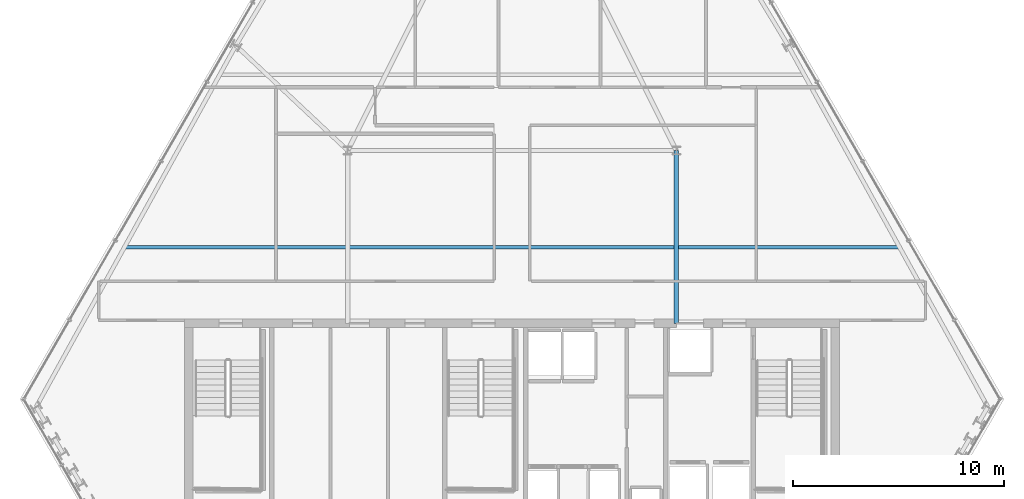
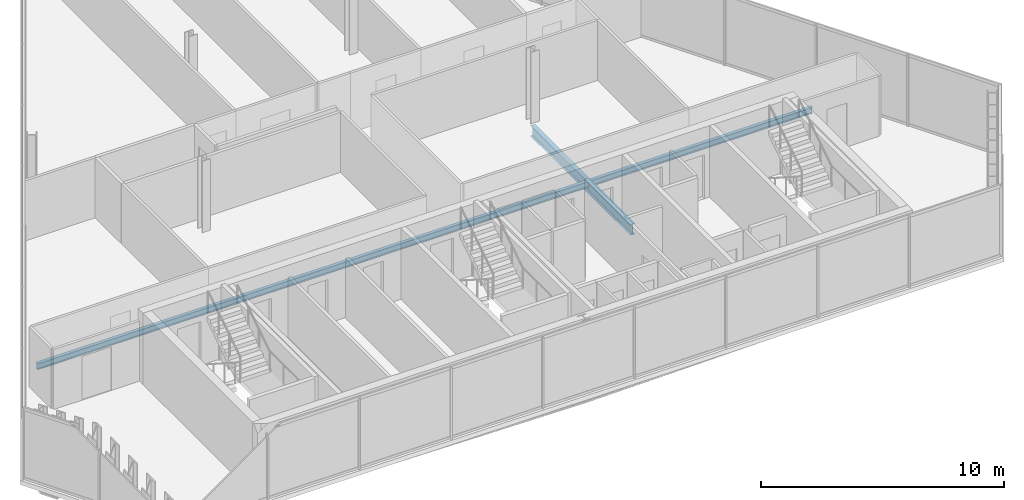
# One storey, part 9 of 29: 2 beams.
"""IFC4 building model written with IfcOpenShell, lengths in metres."""

from ifc_helpers import new_model, si_unit, direction, frame, origin, origin_2d, place, context, subcontext, project, spatial, i_section, extrude, material, material_profile, profile_set, type_object, element, save


model = new_model("IFC4")

# Units and contexts
model_context = context("Model", 3, precision=1e-05, world=origin(), true_north=direction((0.0, 1.0)))
body_context = subcontext(model_context, "Body", "Model", "MODEL_VIEW")
ifc_project = project(units=[si_unit("LENGTHUNIT", "METRE"), si_unit("AREAUNIT", "SQUARE_METRE"), si_unit("VOLUMEUNIT", "CUBIC_METRE"), si_unit("PLANEANGLEUNIT", "RADIAN"), si_unit("MASSUNIT", "GRAM", prefix="KILO")], contexts=[model_context])

# Site, building, storey
site_placement = place(None, origin())
site = spatial("IfcSite", under=ifc_project, at=site_placement, CompositionType="ELEMENT")
building_placement = place(site_placement, origin())
building = spatial("IfcBuilding", under=site, at=building_placement, Name="Ndaravel Arena Tower", CompositionType="ELEMENT")
storey_placement = place(building_placement, frame((0.0, 0.0, 233.199951171875)))
storey = spatial("IfcBuildingStorey", under=building, at=storey_placement, Name="L56", CompositionType="ELEMENT", Elevation=233.199951171875)

# Beams
ifc_material_1 = material(Name="Steel S355", Category="steel")
ifc_material_profile_1 = material_profile(ifc_material_1, i_section(OverallWidth=0.210693359375, OverallDepth=0.53955078125, WebThickness=0.01171875, FlangeThickness=0.018798828125, FilletRadius=0.0126953125, at=origin_2d()), Name="UB 533x210x109")
ifc_profile_set_1 = profile_set([ifc_material_profile_1], Name="Steel S355")
beam_type_1 = type_object("IfcBeamType", Name="BM-GIRD-UB533", PredefinedType="BEAM", material=ifc_profile_set_1)
beam_1_placement = place(storey_placement, frame((49.800048828125, 14.97998046875, -0.48974609375), z_axis=(0.0, 1.0, 0.0), x_axis=(-1.0, 0.0, 0.0)))
element("IfcBeam", 1, at=beam_1_placement, inside=storey, type_object=beam_type_1, Name="L56 Spine Link Girder SLG-02", PredefinedType="BEAM", context=body_context, shape_type="SweptSolid", body=[
    extrude(i_section(OverallWidth=0.210693359375, OverallDepth=0.53955078125, WebThickness=0.01171875, FlangeThickness=0.018798828125, FilletRadius=0.0126953125, at=origin_2d()), origin(), (0.0, 0.0, 1.0), 8.219970703125),
])
ifc_material_2 = material(Name="Steel S355", Category="steel")
ifc_material_profile_2 = material_profile(ifc_material_2, i_section(OverallWidth=0.165771484375, OverallDepth=0.306640625, WebThickness=0.006591796875, FlangeThickness=0.01171875, FilletRadius=0.0087890625, at=origin_2d()), Name="UB 305x165x46")
ifc_profile_set_2 = profile_set([ifc_material_profile_2], Name="Steel S355")
beam_type_2 = type_object("IfcBeamType", Name="BM-JOIST-UB305", PredefinedType="JOIST", material=ifc_profile_set_2)
beam_2_placement = place(storey_placement, frame((23.599365234375, 18.60009765625, -0.373291015625), z_axis=(1.0, 0.0, 0.0), x_axis=(0.0, 1.0, 0.0)))
element("IfcBeam", 2, at=beam_2_placement, inside=storey, type_object=beam_type_2, Name="L56 Composite Floor Joist FJ-01", PredefinedType="JOIST", context=body_context, shape_type="SweptSolid", body=[
    extrude(i_section(OverallWidth=0.165771484375, OverallDepth=0.306640625, WebThickness=0.006591796875, FlangeThickness=0.01171875, FilletRadius=0.0087890625, at=origin_2d()), origin(), (0.0, 0.0, 1.0), 36.80126953125),
])

save(model, "model.ifc")
